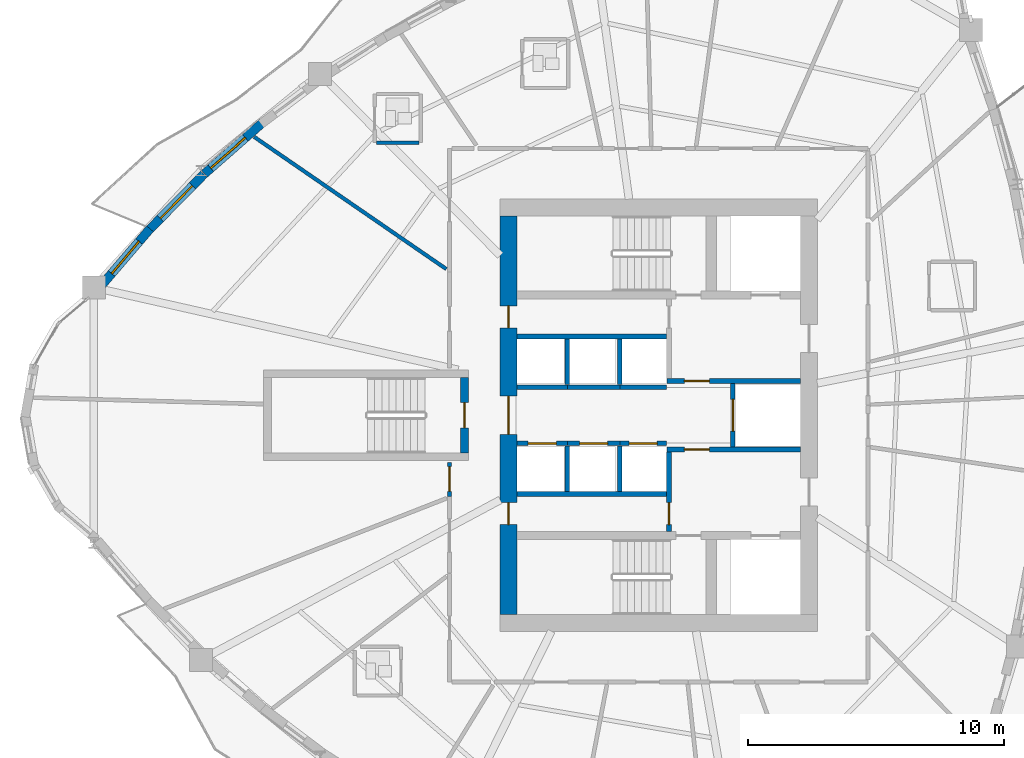
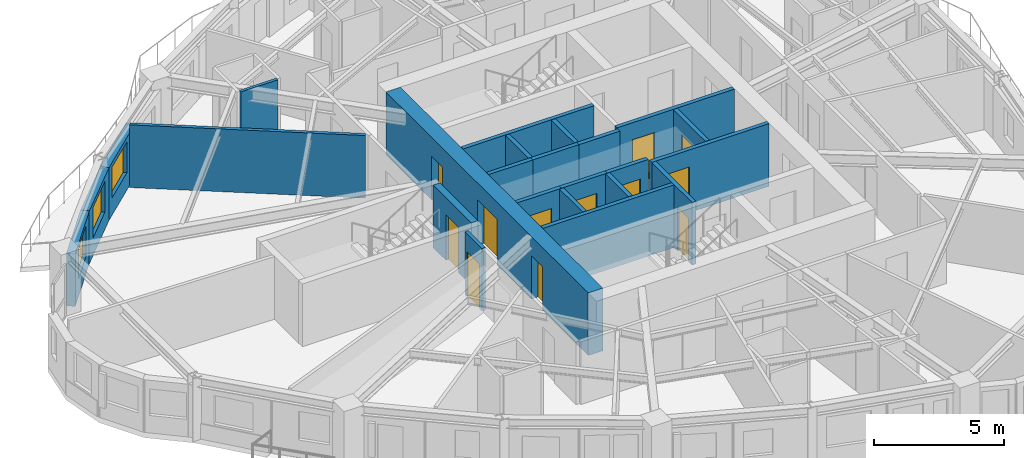
# One storey, part 6 of 14: 24 walls, 12 doors, 3 windows, 15 openings.
"""IFC4 building model written with IfcOpenShell, lengths in metres."""

from ifc_helpers import new_model, si_unit, direction, frame, frame_2d, origin, place, context, subcontext, project, spatial, rectangle, extrude, source, transform, mapped, material, layer, layer_set, type_object, element, fill, save


model = new_model("IFC4")

# Units and contexts
model_context = context("Model", 3, precision=1e-05, world=origin(), true_north=direction((0.0, 1.0)))
body_context = subcontext(model_context, "Body", "Model", "MODEL_VIEW")
ifc_project = project(units=[si_unit("LENGTHUNIT", "METRE"), si_unit("AREAUNIT", "SQUARE_METRE"), si_unit("VOLUMEUNIT", "CUBIC_METRE"), si_unit("PLANEANGLEUNIT", "RADIAN"), si_unit("MASSUNIT", "GRAM", prefix="KILO")], contexts=[model_context])

# Site, building, storey
site_placement = place(None, origin())
site = spatial("IfcSite", under=ifc_project, at=site_placement, CompositionType="ELEMENT")
building_placement = place(site_placement, origin())
building = spatial("IfcBuilding", under=site, at=building_placement, Name="Qafzar Sky-Pleat Residences", CompositionType="ELEMENT")
storey_placement = place(building_placement, frame((0.0, 0.0, 73.60009765625)))
storey = spatial("IfcBuildingStorey", under=building, at=storey_placement, Name="L21", CompositionType="ELEMENT", Elevation=73.60009765625)

# Wall, opening, door
ifc_material_1 = material(Name="Acoustic gypsum plasterboard partition", Category="gypsum")
ifc_layer_1 = layer(ifc_material_1, 0.159912109375)
ifc_layer_set_1 = layer_set([ifc_layer_1], Name="Acoustic gypsum plasterboard partition")
wall_type_1 = type_object("IfcWallType", Name="PART-COR-160", PredefinedType="PARTITIONING", material=ifc_layer_set_1)
wall_1_placement = place(storey_placement, frame((22.169921875, 22.8291015625, 0.0), z_axis=(0.0, 0.0, 1.0), x_axis=(0.0, 1.0, 0.0)))
wall_1 = element("IfcWall", 1, at=wall_1_placement, inside=storey, type_object=wall_type_1, Name="L21 Partition Wall PART-L21-PW-024", PredefinedType="PARTITIONING", context=body_context, shape_type="SweptSolid", body=[
    extrude(rectangle(XDim=1.32080078125, YDim=0.159912109375, at=frame_2d((0.660400390625, 0.0))), origin(), (0.0, 0.0, 1.0), 2.949951171875),
])
opening_1_placement = place(wall_1_placement, frame((0.198486328125, 0.0, 0.0)))
opening_1 = element("IfcOpeningElement", 2, at=opening_1_placement, cuts=wall_1, Name="Opening ID-06", PredefinedType="OPENING", context=body_context, shape_type="SweptSolid", body=[
    extrude(rectangle(XDim=0.9599609375, YDim=2.10009765625, at=frame_2d((0.47998046875, 1.050048828125))), frame((0.0, 0.08984375, 0.0), z_axis=(0.0, -1.0, 0.0), x_axis=(1.0, 0.0, 0.0)), (0.0, 0.0, 1.0), 0.179931640625),
])
ifc_material_2 = material(Name="Timber-faced fire door", Category="wood")
door_type_1 = type_object("IfcDoorType", Name="DR-STD-960", OperationType="NOTDEFINED", PredefinedType="DOOR", material=ifc_material_2)
shared_shape_1 = source(origin(), body_context, "Body", "SweptSolid", [
    extrude(rectangle(XDim=0.9599609375, YDim=2.10009765625, at=frame_2d((0.47998046875, 1.050048828125))), frame((0.0, 0.02490234375, 0.0), z_axis=(0.0, -1.0, 0.0), x_axis=(1.0, 0.0, 0.0)), (0.0, 0.0, 1.0), 0.050048828125),
])
door_1_placement = place(opening_1_placement, origin())
door_1 = element("IfcDoor", 3, at=door_1_placement, inside=storey, type_object=door_type_1, Name="L21 Faculty Research Office Door", OperationType="SINGLE_SWING_RIGHT", OverallHeight=2.10009765625, OverallWidth=0.9599609375, PredefinedType="DOOR", context=body_context, shape_type="MappedRepresentation", body=[
    mapped(shared_shape_1, transform((0.0, 0.0, 0.0), x_axis=(1.0, 0.0, 0.0), y_axis=(0.0, 1.0, 0.0), z_axis=(0.0, 0.0, 1.0), scale=1.0)),
])
fill(opening_1, door_1)

ifc_material_3 = material(Name="Concrete blockwork partition", Category="masonry")
ifc_layer_2 = layer(ifc_material_3, 0.179931640625)
ifc_layer_set_2 = layer_set([ifc_layer_2], Name="Concrete blockwork partition")
wall_type_2 = type_object("IfcWallType", Name="PART-SHAFT-180", PredefinedType="PARTITIONING", material=ifc_layer_set_2)
wall_2_placement = place(storey_placement, frame((30.75, 21.4599609375, 0.0), z_axis=(0.0, 0.0, 1.0), x_axis=(0.0, 1.0, 0.0)))
wall_2 = element("IfcWall", 4, at=wall_2_placement, inside=storey, type_object=wall_type_2, Name="L21 Partition Wall PART-L21-FFL1-W", PredefinedType="PARTITIONING", context=body_context, shape_type="SweptSolid", body=[
    extrude(rectangle(XDim=3.110107421875, YDim=0.179931640625, at=frame_2d((1.55517578125, 0.0))), origin(), (0.0, 0.0, 1.0), 2.949951171875),
])
opening_2_placement = place(wall_2_placement, frame((0.260009765625, 0.0, 0.0)))
opening_2 = element("IfcOpeningElement", 5, at=opening_2_placement, cuts=wall_2, Name="Opening ID-09", PredefinedType="OPENING", context=body_context, shape_type="SweptSolid", body=[
    extrude(rectangle(XDim=0.860107421875, YDim=2.050048828125, at=frame_2d((0.43017578125, 1.02490234375))), frame((0.0, 0.10009765625, 0.0), z_axis=(0.0, -1.0, 0.0), x_axis=(1.0, 0.0, 0.0)), (0.0, 0.0, 1.0), 0.199951171875),
])
door_type_2 = type_object("IfcDoorType", Name="DR-SVC-860", OperationType="NOTDEFINED", PredefinedType="DOOR", material=ifc_material_2)
shared_shape_2 = source(origin(), body_context, "Body", "SweptSolid", [
    extrude(rectangle(XDim=0.860107421875, YDim=2.050048828125, at=frame_2d((0.43017578125, 1.02490234375))), frame((0.0, 0.02490234375, 0.0), z_axis=(0.0, -1.0, 0.0), x_axis=(1.0, 0.0, 0.0)), (0.0, 0.0, 1.0), 0.050048828125),
])
door_2_placement = place(opening_2_placement, origin())
door_2 = element("IfcDoor", 6, at=door_2_placement, inside=storey, type_object=door_type_2, Name="L21 South Core Cupboard Door", OperationType="SINGLE_SWING_RIGHT", OverallHeight=2.050048828125, OverallWidth=0.860107421875, PredefinedType="DOOR", context=body_context, shape_type="MappedRepresentation", body=[
    mapped(shared_shape_2, transform((0.0, 0.0, 0.0), x_axis=(1.0, 0.0, 0.0), y_axis=(0.0, 1.0, 0.0), z_axis=(0.0, 0.0, 1.0), scale=1.0)),
])
fill(opening_2, door_2)

wall_3_placement = place(storey_placement, frame((30.669921875, 24.659912109375, 0.0), z_axis=(0.0, 0.0, 1.0), x_axis=(1.0, 0.0, 0.0)))
wall_3 = element("IfcWall", 7, at=wall_3_placement, inside=storey, type_object=wall_type_2, Name="L21 Partition Wall PART-L21-FFL1-N", PredefinedType="PARTITIONING", context=body_context, shape_type="SweptSolid", body=[
    extrude(rectangle(XDim=5.219970703125, YDim=0.179931640625, at=frame_2d((2.60986328125, 0.0))), origin(), (0.0, 0.0, 1.0), 2.949951171875),
])
opening_3_placement = place(wall_3_placement, frame((0.679931640625, 0.0, 0.0)))
opening_3 = element("IfcOpeningElement", 8, at=opening_3_placement, cuts=wall_3, Name="Opening ID-01", PredefinedType="OPENING", context=body_context, shape_type="SweptSolid", body=[
    extrude(rectangle(XDim=0.97998046875, YDim=2.14990234375, at=frame_2d((0.489990234375, 1.074951171875))), frame((0.0, 0.10009765625, 0.0), z_axis=(0.0, -1.0, 0.0), x_axis=(1.0, 0.0, 0.0)), (0.0, 0.0, 1.0), 0.199951171875),
])
door_type_3 = type_object("IfcDoorType", Name="DR-STAIR-980", OperationType="NOTDEFINED", PredefinedType="DOOR", material=ifc_material_2)
shared_shape_3 = source(origin(), body_context, "Body", "SweptSolid", [
    extrude(rectangle(XDim=0.97998046875, YDim=2.14990234375, at=frame_2d((0.489990234375, 1.074951171875))), frame((0.0, 0.02490234375, 0.0), z_axis=(0.0, -1.0, 0.0), x_axis=(1.0, 0.0, 0.0)), (0.0, 0.0, 1.0), 0.050048828125),
])
door_3_placement = place(opening_3_placement, origin())
door_3 = element("IfcDoor", 9, at=door_3_placement, inside=storey, type_object=door_type_3, Name="L21 Lift Lobby to South Firefighting Lobby Door", OperationType="SINGLE_SWING_LEFT", OverallHeight=2.14990234375, OverallWidth=0.97998046875, PredefinedType="DOOR", context=body_context, shape_type="MappedRepresentation", body=[
    mapped(shared_shape_3, transform((0.0, 0.0, 0.0), x_axis=(1.0, 0.0, 0.0), y_axis=(0.0, 1.0, 0.0), z_axis=(0.0, 0.0, 1.0), scale=1.0)),
])
fill(opening_3, door_3)

wall_4_placement = place(storey_placement, frame((30.669921875, 27.340087890625, 0.0), z_axis=(0.0, 0.0, 1.0), x_axis=(1.0, 0.0, 0.0)))
wall_4 = element("IfcWall", 10, at=wall_4_placement, inside=storey, type_object=wall_type_2, Name="L21 Partition Wall PART-L21-FFL2-S", PredefinedType="PARTITIONING", context=body_context, shape_type="SweptSolid", body=[
    extrude(rectangle(XDim=5.219970703125, YDim=0.179931640625, at=frame_2d((2.60986328125, 0.0))), origin(), (0.0, 0.0, 1.0), 2.949951171875),
])
opening_4_placement = place(wall_4_placement, frame((0.679931640625, 0.0, 0.0)))
opening_4 = element("IfcOpeningElement", 11, at=opening_4_placement, cuts=wall_4, Name="Opening ID-01", PredefinedType="OPENING", context=body_context, shape_type="SweptSolid", body=[
    extrude(rectangle(XDim=0.97998046875, YDim=2.14990234375, at=frame_2d((0.489990234375, 1.074951171875))), frame((0.0, 0.10009765625, 0.0), z_axis=(0.0, -1.0, 0.0), x_axis=(1.0, 0.0, 0.0)), (0.0, 0.0, 1.0), 0.199951171875),
])
door_4_placement = place(opening_4_placement, origin())
door_4 = element("IfcDoor", 12, at=door_4_placement, inside=storey, type_object=door_type_3, Name="L21 Lift Lobby to North Firefighting Lobby Door", OperationType="SINGLE_SWING_LEFT", OverallHeight=2.14990234375, OverallWidth=0.97998046875, PredefinedType="DOOR", context=body_context, shape_type="MappedRepresentation", body=[
    mapped(shared_shape_3, transform((0.0, 0.0, 0.0), x_axis=(1.0, 0.0, 0.0), y_axis=(0.0, 1.0, 0.0), z_axis=(0.0, 0.0, 1.0), scale=1.0)),
])
fill(opening_4, door_4)

wall_5_placement = place(storey_placement, frame((33.25, 24.760009765625, 0.0), z_axis=(0.0, 0.0, 1.0), x_axis=(0.0, 1.0, 0.0)))
wall_5 = element("IfcWall", 13, at=wall_5_placement, inside=storey, type_object=wall_type_2, Name="L21 Partition Wall PART-L21-SV1-W", PredefinedType="PARTITIONING", context=body_context, shape_type="SweptSolid", body=[
    extrude(rectangle(XDim=2.47998046875, YDim=0.179931640625, at=frame_2d((1.239990234375, 0.0))), origin(), (0.0, 0.0, 1.0), 2.949951171875),
])
opening_5_placement = place(wall_5_placement, frame((0.614990234375, 0.0, 0.0)))
opening_5 = element("IfcOpeningElement", 14, at=opening_5_placement, cuts=wall_5, Name="Opening LD-03", PredefinedType="OPENING", context=body_context, shape_type="SweptSolid", body=[
    extrude(rectangle(XDim=1.25, YDim=2.14990234375, at=frame_2d((0.625, 1.074951171875))), frame((0.0, 0.10009765625, 0.0), z_axis=(0.0, -1.0, 0.0), x_axis=(1.0, 0.0, 0.0)), (0.0, 0.0, 1.0), 0.199951171875),
])
ifc_material_4 = material(Name="Stainless steel sliding landing door", Category="steel")
door_type_4 = type_object("IfcDoorType", Name="DR-LIFT-SV", OperationType="DOUBLE_DOOR_SLIDING", PredefinedType="DOOR", material=ifc_material_4)
shared_shape_4 = source(origin(), body_context, "Body", "SweptSolid", [
    extrude(rectangle(XDim=1.25, YDim=2.14990234375, at=frame_2d((0.625, 1.074951171875))), frame((0.0, 0.02490234375, 0.0), z_axis=(0.0, -1.0, 0.0), x_axis=(1.0, 0.0, 0.0)), (0.0, 0.0, 1.0), 0.050048828125),
])
door_5_placement = place(opening_5_placement, origin())
door_5 = element("IfcDoor", 15, at=door_5_placement, inside=storey, type_object=door_type_4, Name="L21 Service Lift SV1 Landing Door", OperationType="DOUBLE_DOOR_SLIDING", OverallHeight=2.14990234375, OverallWidth=1.25, PredefinedType="DOOR", context=body_context, shape_type="MappedRepresentation", body=[
    mapped(shared_shape_4, transform((0.0, 0.0, 0.0), x_axis=(1.0, 0.0, 0.0), y_axis=(0.0, 1.0, 0.0), z_axis=(0.0, 0.0, 1.0), scale=1.0)),
])
fill(opening_5, door_5)

# Wall
wall_6_placement = place(storey_placement, frame((24.81005859375, 22.919921875, 0.0), z_axis=(0.0, 0.0, 1.0), x_axis=(1.0, 0.0, 0.0)))
element("IfcWall", 16, at=wall_6_placement, inside=storey, type_object=wall_type_2, Name="L21 Partition Wall PART-L21-P13-S", PredefinedType="PARTITIONING", context=body_context, shape_type="SweptSolid", body=[
    extrude(rectangle(XDim=5.83984375, YDim=0.179931640625, at=frame_2d((2.919921875, 0.0))), origin(), (0.0, 0.0, 1.0), 2.949951171875),
])

# Wall, opening, door
wall_7_placement = place(storey_placement, frame((24.81005859375, 24.89990234375, 0.0), z_axis=(0.0, 0.0, 1.0), x_axis=(1.0, 0.0, 0.0)))
wall_7 = element("IfcWall", 17, at=wall_7_placement, inside=storey, type_object=wall_type_2, Name="L21 Partition Wall PART-L21-P1-N", PredefinedType="PARTITIONING", context=body_context, shape_type="SweptSolid", body=[
    extrude(rectangle(XDim=1.96484375, YDim=0.179931640625, at=frame_2d((0.982421875, 0.0))), origin(), (0.0, 0.0, 1.0), 2.949951171875),
])
opening_6_placement = place(wall_7_placement, frame((0.4326171875, 0.0, 0.0)))
opening_6 = element("IfcOpeningElement", 18, at=opening_6_placement, cuts=wall_7, Name="Opening LD-01", PredefinedType="OPENING", context=body_context, shape_type="SweptSolid", body=[
    extrude(rectangle(XDim=1.10009765625, YDim=2.14990234375, at=frame_2d((0.550048828125, 1.074951171875))), frame((0.0, 0.10009765625, 0.0), z_axis=(0.0, -1.0, 0.0), x_axis=(1.0, 0.0, 0.0)), (0.0, 0.0, 1.0), 0.199951171875),
])
door_type_5 = type_object("IfcDoorType", Name="DR-LIFT-P", OperationType="DOUBLE_DOOR_SLIDING", PredefinedType="DOOR", material=ifc_material_4)
shared_shape_5 = source(origin(), body_context, "Body", "SweptSolid", [
    extrude(rectangle(XDim=1.10009765625, YDim=2.14990234375, at=frame_2d((0.550048828125, 1.074951171875))), frame((0.0, 0.02490234375, 0.0), z_axis=(0.0, -1.0, 0.0), x_axis=(1.0, 0.0, 0.0)), (0.0, 0.0, 1.0), 0.050048828125),
])
door_6_placement = place(opening_6_placement, origin())
door_6 = element("IfcDoor", 19, at=door_6_placement, inside=storey, type_object=door_type_5, Name="L21 Passenger Lift P1 Landing Door", OperationType="DOUBLE_DOOR_SLIDING", OverallHeight=2.14990234375, OverallWidth=1.10009765625, PredefinedType="DOOR", context=body_context, shape_type="MappedRepresentation", body=[
    mapped(shared_shape_5, transform((0.0, 0.0, 0.0), x_axis=(1.0, 0.0, 0.0), y_axis=(0.0, 1.0, 0.0), z_axis=(0.0, 0.0, 1.0), scale=1.0)),
])
fill(opening_6, door_6)

wall_8_placement = place(storey_placement, frame((26.77490234375, 24.89990234375, 0.0), z_axis=(0.0, 0.0, 1.0), x_axis=(1.0, 0.0, 0.0)))
wall_8 = element("IfcWall", 20, at=wall_8_placement, inside=storey, type_object=wall_type_2, Name="L21 Partition Wall PART-L21-P2-N", PredefinedType="PARTITIONING", context=body_context, shape_type="SweptSolid", body=[
    extrude(rectangle(XDim=2.050048828125, YDim=0.179931640625, at=frame_2d((1.02490234375, 0.0))), origin(), (0.0, 0.0, 1.0), 2.949951171875),
])
opening_7_placement = place(wall_8_placement, frame((0.47509765625, 0.0, 0.0)))
opening_7 = element("IfcOpeningElement", 21, at=opening_7_placement, cuts=wall_8, Name="Opening LD-01", PredefinedType="OPENING", context=body_context, shape_type="SweptSolid", body=[
    extrude(rectangle(XDim=1.10009765625, YDim=2.14990234375, at=frame_2d((0.550048828125, 1.074951171875))), frame((0.0, 0.10009765625, 0.0), z_axis=(0.0, -1.0, 0.0), x_axis=(1.0, 0.0, 0.0)), (0.0, 0.0, 1.0), 0.199951171875),
])
door_7_placement = place(opening_7_placement, origin())
door_7 = element("IfcDoor", 22, at=door_7_placement, inside=storey, type_object=door_type_5, Name="L21 Passenger Lift P2 Landing Door", OperationType="DOUBLE_DOOR_SLIDING", OverallHeight=2.14990234375, OverallWidth=1.10009765625, PredefinedType="DOOR", context=body_context, shape_type="MappedRepresentation", body=[
    mapped(shared_shape_5, transform((0.0, 0.0, 0.0), x_axis=(1.0, 0.0, 0.0), y_axis=(0.0, 1.0, 0.0), z_axis=(0.0, 0.0, 1.0), scale=1.0)),
])
fill(opening_7, door_7)

# Wall
wall_9_placement = place(storey_placement, frame((26.77490234375, 23.02001953125, 0.0), z_axis=(0.0, 0.0, 1.0), x_axis=(0.0, 1.0, 0.0)))
element("IfcWall", 23, at=wall_9_placement, inside=storey, type_object=wall_type_2, Name="L21 Partition Wall PART-L21-P13-DIV-1", PredefinedType="PARTITIONING", context=body_context, shape_type="SweptSolid", body=[
    extrude(rectangle(XDim=1.780029296875, YDim=0.179931640625, at=frame_2d((0.89013671875, 0.0))), origin(), (0.0, 0.0, 1.0), 2.949951171875),
])

# Wall, opening, door
wall_10_placement = place(storey_placement, frame((28.824951171875, 24.89990234375, 0.0), z_axis=(0.0, 0.0, 1.0), x_axis=(1.0, 0.0, 0.0)))
wall_10 = element("IfcWall", 24, at=wall_10_placement, inside=storey, type_object=wall_type_2, Name="L21 Partition Wall PART-L21-P3-N", PredefinedType="PARTITIONING", context=body_context, shape_type="SweptSolid", body=[
    extrude(rectangle(XDim=1.824951171875, YDim=0.179931640625, at=frame_2d((0.91259765625, 0.0))), origin(), (0.0, 0.0, 1.0), 2.949951171875),
])
opening_8_placement = place(wall_10_placement, frame((0.362548828125, 0.0, 0.0)))
opening_8 = element("IfcOpeningElement", 25, at=opening_8_placement, cuts=wall_10, Name="Opening LD-01", PredefinedType="OPENING", context=body_context, shape_type="SweptSolid", body=[
    extrude(rectangle(XDim=1.10009765625, YDim=2.14990234375, at=frame_2d((0.550048828125, 1.074951171875))), frame((0.0, 0.10009765625, 0.0), z_axis=(0.0, -1.0, 0.0), x_axis=(1.0, 0.0, 0.0)), (0.0, 0.0, 1.0), 0.199951171875),
])
door_8_placement = place(opening_8_placement, origin())
door_8 = element("IfcDoor", 26, at=door_8_placement, inside=storey, type_object=door_type_5, Name="L21 Passenger Lift P3 Landing Door", OperationType="DOUBLE_DOOR_SLIDING", OverallHeight=2.14990234375, OverallWidth=1.10009765625, PredefinedType="DOOR", context=body_context, shape_type="MappedRepresentation", body=[
    mapped(shared_shape_5, transform((0.0, 0.0, 0.0), x_axis=(1.0, 0.0, 0.0), y_axis=(0.0, 1.0, 0.0), z_axis=(0.0, 0.0, 1.0), scale=1.0)),
])
fill(opening_8, door_8)

# Walls
wall_11_placement = place(storey_placement, frame((28.824951171875, 23.02001953125, 0.0), z_axis=(0.0, 0.0, 1.0), x_axis=(0.0, 1.0, 0.0)))
element("IfcWall", 27, at=wall_11_placement, inside=storey, type_object=wall_type_2, Name="L21 Partition Wall PART-L21-P13-DIV-2", PredefinedType="PARTITIONING", context=body_context, shape_type="SweptSolid", body=[
    extrude(rectangle(XDim=1.780029296875, YDim=0.179931640625, at=frame_2d((0.89013671875, 0.0))), origin(), (0.0, 0.0, 1.0), 2.949951171875),
])
wall_12_placement = place(storey_placement, frame((24.81005859375, 29.080078125, 0.0), z_axis=(0.0, 0.0, 1.0), x_axis=(1.0, 0.0, 0.0)))
element("IfcWall", 28, at=wall_12_placement, inside=storey, type_object=wall_type_2, Name="L21 Partition Wall PART-L21-P46-N", PredefinedType="PARTITIONING", context=body_context, shape_type="SweptSolid", body=[
    extrude(rectangle(XDim=5.83984375, YDim=0.179931640625, at=frame_2d((2.919921875, 0.0))), origin(), (0.0, 0.0, 1.0), 2.949951171875),
])
wall_13_placement = place(storey_placement, frame((24.81005859375, 27.10009765625, 0.0), z_axis=(0.0, 0.0, 1.0), x_axis=(1.0, 0.0, 0.0)))
element("IfcWall", 29, at=wall_13_placement, inside=storey, type_object=wall_type_2, Name="L21 Partition Wall PART-L21-P4-S", PredefinedType="PARTITIONING", context=body_context, shape_type="SweptSolid", body=[
    extrude(rectangle(XDim=1.96484375, YDim=0.179931640625, at=frame_2d((0.982421875, 0.0))), origin(), (0.0, 0.0, 1.0), 2.949951171875),
])
wall_14_placement = place(storey_placement, frame((26.77490234375, 27.10009765625, 0.0), z_axis=(0.0, 0.0, 1.0), x_axis=(1.0, 0.0, 0.0)))
element("IfcWall", 30, at=wall_14_placement, inside=storey, type_object=wall_type_2, Name="L21 Partition Wall PART-L21-P5-S", PredefinedType="PARTITIONING", context=body_context, shape_type="SweptSolid", body=[
    extrude(rectangle(XDim=2.050048828125, YDim=0.179931640625, at=frame_2d((1.02490234375, 0.0))), origin(), (0.0, 0.0, 1.0), 2.949951171875),
])
wall_15_placement = place(storey_placement, frame((26.77490234375, 27.199951171875, 0.0), z_axis=(0.0, 0.0, 1.0), x_axis=(0.0, 1.0, 0.0)))
element("IfcWall", 31, at=wall_15_placement, inside=storey, type_object=wall_type_2, Name="L21 Partition Wall PART-L21-P46-DIV-1", PredefinedType="PARTITIONING", context=body_context, shape_type="SweptSolid", body=[
    extrude(rectangle(XDim=1.780029296875, YDim=0.179931640625, at=frame_2d((0.89013671875, 0.0))), origin(), (0.0, 0.0, 1.0), 2.949951171875),
])
wall_16_placement = place(storey_placement, frame((28.824951171875, 27.10009765625, 0.0), z_axis=(0.0, 0.0, 1.0), x_axis=(1.0, 0.0, 0.0)))
element("IfcWall", 32, at=wall_16_placement, inside=storey, type_object=wall_type_2, Name="L21 Partition Wall PART-L21-P6-S", PredefinedType="PARTITIONING", context=body_context, shape_type="SweptSolid", body=[
    extrude(rectangle(XDim=1.824951171875, YDim=0.179931640625, at=frame_2d((0.91259765625, 0.0))), origin(), (0.0, 0.0, 1.0), 2.949951171875),
])
wall_17_placement = place(storey_placement, frame((28.824951171875, 27.199951171875, 0.0), z_axis=(0.0, 0.0, 1.0), x_axis=(0.0, 1.0, 0.0)))
element("IfcWall", 33, at=wall_17_placement, inside=storey, type_object=wall_type_2, Name="L21 Partition Wall PART-L21-P46-DIV-2", PredefinedType="PARTITIONING", context=body_context, shape_type="SweptSolid", body=[
    extrude(rectangle(XDim=1.780029296875, YDim=0.179931640625, at=frame_2d((0.89013671875, 0.0))), origin(), (0.0, 0.0, 1.0), 2.949951171875),
])
ifc_layer_3 = layer(ifc_material_1, 0.14501953125)
ifc_layer_set_3 = layer_set([ifc_layer_3], Name="Acoustic gypsum plasterboard partition")
wall_type_3 = type_object("IfcWallType", Name="PART-UNIT-145", PredefinedType="PARTITIONING", material=ifc_layer_set_3)
wall_18_placement = place(storey_placement, frame((14.527099609375, 36.88623046875, 0.0), z_axis=(0.0, 0.0, 1.0), x_axis=(0.823849772282, -0.566808215106, 0.0)))
element("IfcWall", 34, at=wall_18_placement, inside=storey, type_object=wall_type_3, Name="L21 Partition Wall PART-L21-PW-028", PredefinedType="PARTITIONING", context=body_context, shape_type="SweptSolid", body=[
    extrude(rectangle(XDim=9.1220703125, YDim=0.14501953125, at=frame_2d((4.56103515625, 0.0))), origin(), (0.0, 0.0, 1.0), 2.949951171875),
])
ifc_material_5 = material(Name="Moisture-resistant gypsum partition", Category="gypsum")
ifc_layer_4 = layer(ifc_material_5, 0.1298828125)
ifc_layer_set_4 = layer_set([ifc_layer_4], Name="Moisture-resistant gypsum partition")
wall_type_4 = type_object("IfcWallType", Name="PART-WET-130", PredefinedType="PARTITIONING", material=ifc_layer_set_4)
wall_19_placement = place(storey_placement, frame((19.31005859375, 36.660888671875, 0.0), z_axis=(0.0, 0.0, 1.0), x_axis=(1.0, 0.0, 0.0)))
element("IfcWall", 35, at=wall_19_placement, inside=storey, type_object=wall_type_4, Name="L21 Partition Wall PART-L21-PW-057", PredefinedType="PARTITIONING", context=body_context, shape_type="SweptSolid", body=[
    extrude(rectangle(XDim=1.654052734375, YDim=0.1298828125, at=frame_2d((0.8271484375, 0.0))), origin(), (0.0, 0.0, 1.0), 2.949951171875),
])

# Wall, opening, window
ifc_material_6 = material(Name="Precast concrete C40/50 with honed Riyadh limestone", Category="concrete")
ifc_layer_5 = layer(ifc_material_6, 0.35009765625)
ifc_layer_set_5 = layer_set([ifc_layer_5], Name="Precast concrete C40/50 with honed Riyadh limestone")
wall_type_5 = type_object("IfcWallType", Name="WALL-EXT-350", PredefinedType="SOLIDWALL", material=ifc_layer_set_5)
wall_20_placement = place(storey_placement, frame((14.864990234375, 37.44970703125, 0.0), z_axis=(0.0, 0.0, 1.0), x_axis=(-0.751505335107, -0.659727012715, 0.0)))
wall_20 = element("IfcWall", 36, at=wall_20_placement, inside=storey, type_object=wall_type_5, Name="L21 Limestone Facade Wall 46", PredefinedType="SOLIDWALL", context=body_context, shape_type="SweptSolid", body=[
    extrude(rectangle(XDim=3.037841796875, YDim=0.35009765625, at=frame_2d((1.51904296875, 0.0))), origin(), (0.0, 0.0, 1.0), 2.47998046875),
])
opening_9_placement = place(wall_20_placement, frame((0.90625, 0.0, 0.820068359375)))
opening_9 = element("IfcOpeningElement", 37, at=opening_9_placement, cuts=wall_20, Name="Opening WN-01", PredefinedType="OPENING", context=body_context, shape_type="SweptSolid", body=[
    extrude(rectangle(XDim=1.800048828125, YDim=1.449951171875, at=frame_2d((0.89990234375, 0.72509765625))), frame((0.0, 0.18505859375, 0.0), z_axis=(0.0, -1.0, 0.0), x_axis=(1.0, 0.0, 0.0)), (0.0, 0.0, 1.0), 0.3701171875),
])
ifc_material_7 = material(Name="Solar-control low-E glass in bronze aluminium frame", Category="glass")
window_type_1 = type_object("IfcWindowType", Name="WIN-01", PartitioningType="DOUBLE_PANEL_VERTICAL", PredefinedType="WINDOW", material=ifc_material_7)
shared_shape_6 = source(origin(), body_context, "Body", "SweptSolid", [
    extrude(rectangle(XDim=1.800048828125, YDim=1.449951171875, at=frame_2d((0.89990234375, 0.72509765625))), frame((0.0, 0.030029296875, 0.0), z_axis=(0.0, -1.0, 0.0), x_axis=(1.0, 0.0, 0.0)), (0.0, 0.0, 1.0), 0.06005859375),
])
window_1_placement = place(opening_9_placement, origin())
window_1 = element("IfcWindow", 38, at=window_1_placement, inside=storey, type_object=window_type_1, Name="L21 Punched Facade Window 46-2", OverallHeight=1.449951171875, OverallWidth=1.800048828125, PartitioningType="SINGLE_PANEL", PredefinedType="WINDOW", context=body_context, shape_type="MappedRepresentation", body=[
    mapped(shared_shape_6, transform((0.0, 0.0, 0.0), x_axis=(1.0, 0.0, 0.0), y_axis=(0.0, 1.0, 0.0), z_axis=(0.0, 0.0, 1.0), scale=1.0)),
])
fill(opening_9, window_1)

wall_21_placement = place(storey_placement, frame((12.56201171875, 35.4267578125, 0.0), z_axis=(0.0, 0.0, 1.0), x_axis=(-0.701949387032, -0.712226830473, 0.0)))
wall_21 = element("IfcWall", 39, at=wall_21_placement, inside=storey, type_object=wall_type_5, Name="L21 Limestone Facade Wall 47", PredefinedType="SOLIDWALL", context=body_context, shape_type="SweptSolid", body=[
    extrude(rectangle(XDim=3.088134765625, YDim=0.35009765625, at=frame_2d((1.5439453125, 0.0))), origin(), (0.0, 0.0, 1.0), 2.47998046875),
])
opening_10_placement = place(wall_21_placement, frame((0.634033203125, 0.0, 0.820068359375)))
opening_10 = element("IfcOpeningElement", 40, at=opening_10_placement, cuts=wall_21, Name="Opening WN-01", PredefinedType="OPENING", context=body_context, shape_type="SweptSolid", body=[
    extrude(rectangle(XDim=1.800048828125, YDim=1.449951171875, at=frame_2d((0.89990234375, 0.72509765625))), frame((0.0, 0.18505859375, 0.0), z_axis=(0.0, -1.0, 0.0), x_axis=(1.0, 0.0, 0.0)), (0.0, 0.0, 1.0), 0.3701171875),
])
window_2_placement = place(opening_10_placement, origin())
window_2 = element("IfcWindow", 41, at=window_2_placement, inside=storey, type_object=window_type_1, Name="L21 Punched Facade Window 47", OverallHeight=1.449951171875, OverallWidth=1.800048828125, PartitioningType="SINGLE_PANEL", PredefinedType="WINDOW", context=body_context, shape_type="MappedRepresentation", body=[
    mapped(shared_shape_6, transform((0.0, 0.0, 0.0), x_axis=(1.0, 0.0, 0.0), y_axis=(0.0, 1.0, 0.0), z_axis=(0.0, 0.0, 1.0), scale=1.0)),
])
fill(opening_10, window_2)

wall_22_placement = place(storey_placement, frame((10.4541015625, 33.292236328125, 0.0), z_axis=(0.0, 0.0, 1.0), x_axis=(-0.650791373456, -0.759256602365, 0.0)))
wall_22 = element("IfcWall", 42, at=wall_22_placement, inside=storey, type_object=wall_type_5, Name="L21 Limestone Facade Wall 48", PredefinedType="SOLIDWALL", context=body_context, shape_type="SweptSolid", body=[
    extrude(rectangle(XDim=2.94873046875, YDim=0.35009765625, at=frame_2d((1.474365234375, 0.0))), origin(), (0.0, 0.0, 1.0), 2.47998046875),
])
opening_11_placement = place(wall_22_placement, frame((0.654296875, 0.0, 0.820068359375)))
opening_11 = element("IfcOpeningElement", 43, at=opening_11_placement, cuts=wall_22, Name="Opening WN-02", PredefinedType="OPENING", context=body_context, shape_type="SweptSolid", body=[
    extrude(rectangle(XDim=1.64990234375, YDim=1.449951171875, at=frame_2d((0.824951171875, 0.72509765625))), frame((0.0, 0.18505859375, 0.0), z_axis=(0.0, -1.0, 0.0), x_axis=(1.0, 0.0, 0.0)), (0.0, 0.0, 1.0), 0.3701171875),
])
window_type_2 = type_object("IfcWindowType", Name="WIN-02", PartitioningType="DOUBLE_PANEL_VERTICAL", PredefinedType="WINDOW", material=ifc_material_7)
shared_shape_7 = source(origin(), body_context, "Body", "SweptSolid", [
    extrude(rectangle(XDim=1.64990234375, YDim=1.449951171875, at=frame_2d((0.824951171875, 0.72509765625))), frame((0.0, 0.030029296875, 0.0), z_axis=(0.0, -1.0, 0.0), x_axis=(1.0, 0.0, 0.0)), (0.0, 0.0, 1.0), 0.06005859375),
])
window_3_placement = place(opening_11_placement, origin())
window_3 = element("IfcWindow", 44, at=window_3_placement, inside=storey, type_object=window_type_2, Name="L21 Punched Facade Window 48", OverallHeight=1.449951171875, OverallWidth=1.64990234375, PartitioningType="SINGLE_PANEL", PredefinedType="WINDOW", context=body_context, shape_type="MappedRepresentation", body=[
    mapped(shared_shape_7, transform((0.0, 0.0, 0.0), x_axis=(1.0, 0.0, 0.0), y_axis=(0.0, 1.0, 0.0), z_axis=(0.0, 0.0, 1.0), scale=1.0)),
])
fill(opening_11, window_3)

# Wall, opening, door
ifc_material_8 = material(Name="Concrete C60/75", Category="concrete")
ifc_layer_6 = layer(ifc_material_8, 0.300048828125)
ifc_layer_set_6 = layer_set([ifc_layer_6], Name="Concrete C60/75")
wall_type_6 = type_object("IfcWallType", Name="WALL-SHEAR-300", PredefinedType="SHEAR", material=ifc_layer_set_6)
wall_23_placement = place(storey_placement, frame((22.75, 24.52490234375, 0.0), z_axis=(0.0, 0.0, 1.0), x_axis=(0.0, 1.0, 0.0)))
wall_23 = element("IfcWall", 45, at=wall_23_placement, inside=storey, type_object=wall_type_6, Name="L21 ST3 wall E", PredefinedType="SHEAR", context=body_context, shape_type="SweptSolid", body=[
    extrude(rectangle(XDim=2.9501953125, YDim=0.300048828125, at=frame_2d((1.47509765625, 0.0))), origin(), (0.0, 0.0, 1.0), 2.949951171875),
])
opening_12_placement = place(wall_23_placement, frame((0.985107421875, 0.0, 0.0)))
opening_12 = element("IfcOpeningElement", 46, at=opening_12_placement, cuts=wall_23, Name="Opening ID-01", PredefinedType="OPENING", context=body_context, shape_type="SweptSolid", body=[
    extrude(rectangle(XDim=0.97998046875, YDim=2.14990234375, at=frame_2d((0.489990234375, 1.074951171875))), frame((0.0, 0.16015625, 0.0), z_axis=(0.0, -1.0, 0.0), x_axis=(1.0, 0.0, 0.0)), (0.0, 0.0, 1.0), 0.320068359375),
])
door_9_placement = place(opening_12_placement, origin())
door_9 = element("IfcDoor", 47, at=door_9_placement, inside=storey, type_object=door_type_3, Name="L21 Stair ST3 Fire Door", OperationType="SINGLE_SWING_LEFT", OverallHeight=2.14990234375, OverallWidth=0.97998046875, PredefinedType="DOOR", context=body_context, shape_type="MappedRepresentation", body=[
    mapped(shared_shape_3, transform((0.0, 0.0, 0.0), x_axis=(1.0, 0.0, 0.0), y_axis=(0.0, 1.0, 0.0), z_axis=(0.0, 0.0, 1.0), scale=1.0)),
])
fill(opening_12, door_9)

# Wall, openings, doors
ifc_layer_7 = layer(ifc_material_8, 0.64990234375)
ifc_layer_set_7 = layer_set([ifc_layer_7], Name="Concrete C60/75")
wall_type_7 = type_object("IfcWallType", Name="WALL-SHEAR-650", PredefinedType="SHEAR", material=ifc_layer_set_7)
wall_24_placement = place(storey_placement, frame((24.47509765625, 33.800048828125, 0.0), z_axis=(0.0, 0.0, 1.0), x_axis=(0.0, -1.0, 0.0)))
wall_24 = element("IfcWall", 48, at=wall_24_placement, inside=storey, type_object=wall_type_7, Name="L21 CORE wall W", PredefinedType="SHEAR", context=body_context, shape_type="SweptSolid", body=[
    extrude(rectangle(XDim=15.60009765625, YDim=0.64990234375, at=frame_2d((7.800048828125, 0.0))), origin(), (0.0, 0.0, 1.0), 2.949951171875),
])
opening_13_placement = place(wall_24_placement, frame((7.050048828125, 0.0, 0.0)))
opening_13 = element("IfcOpeningElement", 49, at=opening_13_placement, cuts=wall_24, Name="Opening ID-03", PredefinedType="OPENING", context=body_context, shape_type="SweptSolid", body=[
    extrude(rectangle(XDim=1.5, YDim=2.14990234375, at=frame_2d((0.75, 1.074951171875))), frame((0.0, 0.3349609375, 0.0), z_axis=(0.0, -1.0, 0.0), x_axis=(1.0, 0.0, 0.0)), (0.0, 0.0, 1.0), 0.669921875),
])
opening_14_placement = place(wall_24_placement, frame((3.52001953125, 0.0, 0.0)))
opening_14 = element("IfcOpeningElement", 50, at=opening_14_placement, cuts=wall_24, Name="Opening ID-09", PredefinedType="OPENING", context=body_context, shape_type="SweptSolid", body=[
    extrude(rectangle(XDim=0.860107421875, YDim=2.050048828125, at=frame_2d((0.43017578125, 1.02490234375))), frame((0.0, 0.3349609375, 0.0), z_axis=(0.0, -1.0, 0.0), x_axis=(1.0, 0.0, 0.0)), (0.0, 0.0, 1.0), 0.669921875),
])
opening_15_placement = place(wall_24_placement, frame((11.219970703125, 0.0, 0.0)))
opening_15 = element("IfcOpeningElement", 51, at=opening_15_placement, cuts=wall_24, Name="Opening ID-09", PredefinedType="OPENING", context=body_context, shape_type="SweptSolid", body=[
    extrude(rectangle(XDim=0.860107421875, YDim=2.050048828125, at=frame_2d((0.43017578125, 1.02490234375))), frame((0.0, 0.3349609375, 0.0), z_axis=(0.0, -1.0, 0.0), x_axis=(1.0, 0.0, 0.0)), (0.0, 0.0, 1.0), 0.669921875),
])
door_type_6 = type_object("IfcDoorType", Name="DR-COR-1500", OperationType="DOUBLE_DOOR_SINGLE_SWING", PredefinedType="DOOR", material=ifc_material_2)
shared_shape_8 = source(origin(), body_context, "Body", "SweptSolid", [
    extrude(rectangle(XDim=1.5, YDim=2.14990234375, at=frame_2d((0.75, 1.074951171875))), frame((0.0, 0.02490234375, 0.0), z_axis=(0.0, -1.0, 0.0), x_axis=(1.0, 0.0, 0.0)), (0.0, 0.0, 1.0), 0.050048828125),
])
door_10_placement = place(opening_13_placement, origin())
door_10 = element("IfcDoor", 52, at=door_10_placement, inside=storey, type_object=door_type_6, Name="L21 Lift Lobby West Double Door", OperationType="DOUBLE_DOOR_SINGLE_SWING", OverallHeight=2.14990234375, OverallWidth=1.5, PredefinedType="DOOR", context=body_context, shape_type="MappedRepresentation", body=[
    mapped(shared_shape_8, transform((0.0, 0.0, 0.0), x_axis=(1.0, 0.0, 0.0), y_axis=(0.0, 1.0, 0.0), z_axis=(0.0, 0.0, 1.0), scale=1.0)),
])
fill(opening_13, door_10)
door_11_placement = place(opening_14_placement, origin())
door_11 = element("IfcDoor", 53, at=door_11_placement, inside=storey, type_object=door_type_2, Name="L21 Core North-West Service Door", OperationType="SINGLE_SWING_RIGHT", OverallHeight=2.050048828125, OverallWidth=0.860107421875, PredefinedType="DOOR", context=body_context, shape_type="MappedRepresentation", body=[
    mapped(shared_shape_2, transform((0.0, 0.0, 0.0), x_axis=(1.0, 0.0, 0.0), y_axis=(0.0, 1.0, 0.0), z_axis=(0.0, 0.0, 1.0), scale=1.0)),
])
fill(opening_14, door_11)
door_12_placement = place(opening_15_placement, origin())
door_12 = element("IfcDoor", 54, at=door_12_placement, inside=storey, type_object=door_type_2, Name="L21 Core South-West Service Door", OperationType="SINGLE_SWING_LEFT", OverallHeight=2.050048828125, OverallWidth=0.860107421875, PredefinedType="DOOR", context=body_context, shape_type="MappedRepresentation", body=[
    mapped(shared_shape_2, transform((0.0, 0.0, 0.0), x_axis=(1.0, 0.0, 0.0), y_axis=(0.0, 1.0, 0.0), z_axis=(0.0, 0.0, 1.0), scale=1.0)),
])
fill(opening_15, door_12)

save(model, "model.ifc")
